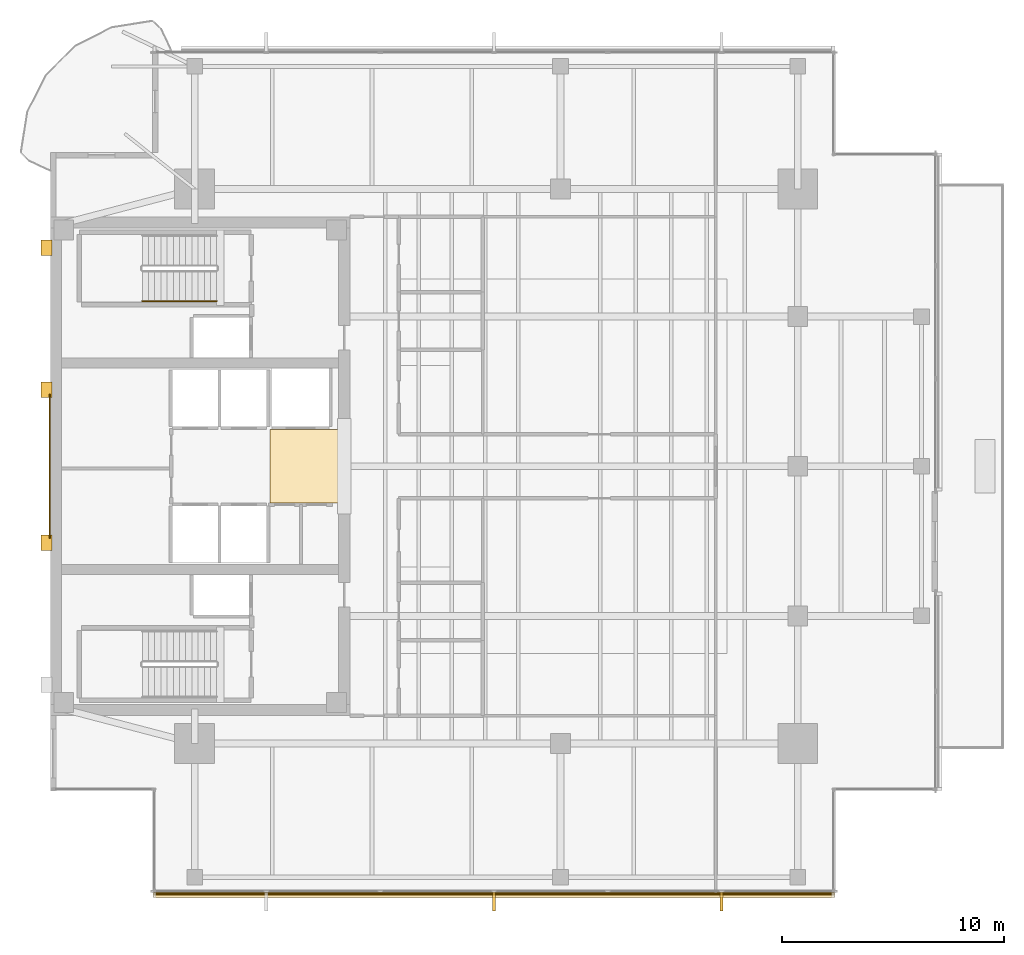
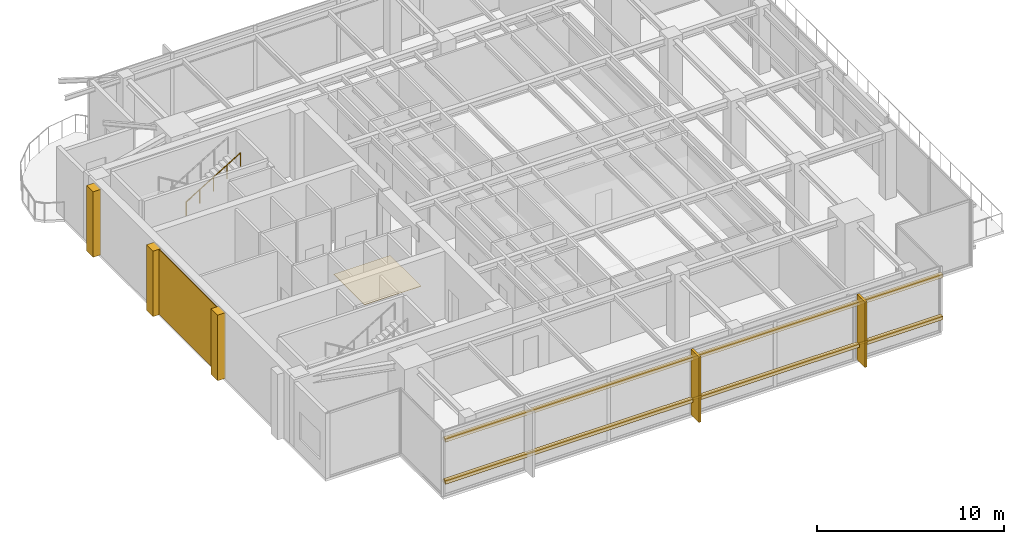
# One storey, part 12 of 14: 9 coverings, 2 shading devices, 1 railing.
"""IFC4 building model written with IfcOpenShell, lengths in metres."""

from ifc_helpers import new_model, si_unit, direction, frame, origin, origin_2d, place, context, subcontext, project, spatial, polyline, rectangle, circle, outline, extrude, material, layer, layer_set, material_profile, profile_set, type_object, element, save


model = new_model("IFC4")

# Units and contexts
model_context = context("Model", 3, precision=1e-05, world=origin(), true_north=direction((0.0, 1.0)))
body_context = subcontext(model_context, "Body", "Model", "MODEL_VIEW")
ifc_project = project(units=[si_unit("LENGTHUNIT", "METRE"), si_unit("AREAUNIT", "SQUARE_METRE"), si_unit("VOLUMEUNIT", "CUBIC_METRE"), si_unit("PLANEANGLEUNIT", "RADIAN"), si_unit("MASSUNIT", "GRAM", prefix="KILO")], contexts=[model_context])

# Site, building, storey
site_placement = place(None, origin())
site = spatial("IfcSite", under=ifc_project, at=site_placement, CompositionType="ELEMENT")
building_placement = place(site_placement, origin())
building = spatial("IfcBuilding", under=site, at=building_placement, Name="Kinhvarn Gate Tower", CompositionType="ELEMENT")
storey_placement = place(building_placement, frame((0.0, 0.0, 244.85009765625)))
storey = spatial("IfcBuildingStorey", under=building, at=storey_placement, Name="L65", CompositionType="ELEMENT", Elevation=244.85009765625)

# Coverings
ifc_material_1 = material(Name="Fired architectural terracotta", Category="masonry")
ifc_layer_1 = layer(ifc_material_1, 0.239990234375)
ifc_layer_set_1 = layer_set([ifc_layer_1], Name="Fired architectural terracotta")
covering_type_1 = type_object("IfcCoveringType", Name="COV-BAG-220", PredefinedType="CLADDING", material=ifc_layer_set_1)
for number, where, name in (
    (1, (0.0, 0.0, 0.93994140625), "Terracotta Horizontal Sunscreen Band TBG-220 (L65)"),
    (2, (0.0, 0.0, 3.679931640625), "Terracotta Horizontal Sunscreen Band TBG-220 (L65)"),
):
    element("IfcCovering", number, at=place(storey_placement, frame(where)), inside=storey, type_object=covering_type_1, Name=name, PredefinedType="CLADDING", context=body_context, shape_type="SweptSolid", body=[
        extrude(outline(polyline([(9.139892578125, 6.0400390625), (39.860107421875, 6.0400390625), (39.860107421875, 5.800048828125), (9.139892578125, 5.800048828125), (9.139892578125, 6.0400390625)])), origin(), (0.0, 0.0, 1.0), 0.219970703125),
    ])
ifc_layer_2 = layer(ifc_material_1, 0.050048828125)
ifc_layer_set_2 = layer_set([ifc_layer_2], Name="Fired architectural terracotta")
covering_type_2 = type_object("IfcCoveringType", Name="COV-CLD-50", PredefinedType="CLADDING", material=ifc_layer_set_2)
covering_1_placement = place(storey_placement, origin())
element("IfcCovering", 3, at=covering_1_placement, inside=storey, type_object=covering_type_2, Name="West Core Terracotta Cladding Feature Panel (L65)", PredefinedType="CLADDING", context=body_context, shape_type="SweptSolid", body=[
    extrude(outline(polyline([(4.449951171875, 22.0), (4.5, 22.0), (4.5, 28.5), (4.449951171875, 28.5), (4.449951171875, 22.0)])), origin(), (0.0, 0.0, 1.0), 4.239990234375),
])
ifc_layer_3 = layer(ifc_material_1, 0.139892578125)
ifc_layer_set_3 = layer_set([ifc_layer_3], Name="Fired architectural terracotta")
covering_type_3 = type_object("IfcCoveringType", Name="COV-FIN-850", PredefinedType="CLADDING", material=ifc_layer_set_3)
covering_2_placement = place(storey_placement, frame((0.0, 0.0, -0.02001953125)))
element("IfcCovering", 4, at=covering_2_placement, inside=storey, type_object=covering_type_3, Name="Vertical Terracotta Expressive Fin TFN-850 (L65)", PredefinedType="CLADDING", context=body_context, shape_type="SweptSolid", body=[
    extrude(outline(polyline([(24.429931640625, 6.050048828125), (24.570068359375, 6.050048828125), (24.570068359375, 5.199951171875), (24.429931640625, 5.199951171875), (24.429931640625, 6.050048828125)])), origin(), (0.0, 0.0, 1.0), 4.280029296875),
])
covering_3_placement = place(storey_placement, frame((0.0, 0.0, -0.02001953125)))
element("IfcCovering", 5, at=covering_3_placement, inside=storey, type_object=covering_type_3, Name="Vertical Terracotta Expressive Fin TFN-850 (L65)", PredefinedType="CLADDING", context=body_context, shape_type="SweptSolid", body=[
    extrude(outline(polyline([(34.69677734375, 6.050048828125), (34.836669921875, 6.050048828125), (34.836669921875, 5.199951171875), (34.69677734375, 5.199951171875), (34.69677734375, 6.050048828125)])), origin(), (0.0, 0.0, 1.0), 4.280029296875),
])
ifc_material_2 = material(Name="Honed granite architectural paving", Category="masonry")
ifc_layer_4 = layer(ifc_material_2, 0.030029296875)
ifc_layer_set_4 = layer_set([ifc_layer_4], Name="Honed granite architectural paving")
covering_type_4 = type_object("IfcCoveringType", Name="COV-FLR-30", PredefinedType="FLOORING", material=ifc_layer_set_4)
covering_4_placement = place(storey_placement, origin())
element("IfcCovering", 6, at=covering_4_placement, inside=storey, type_object=covering_type_4, Name="Honed Granite Lift Lobby Flooring (L65)", PredefinedType="FLOORING", context=body_context, shape_type="SweptSolid", body=[
    extrude(outline(polyline([(14.39990234375, 23.60009765625), (14.39990234375, 26.89990234375), (17.89990234375, 26.89990234375), (17.89990234375, 23.60009765625), (14.39990234375, 23.60009765625)])), origin(), (0.0, 0.0, 1.0), 0.02978515625),
])
ifc_material_3 = material(Name="Precast white architectural concrete C40/50", Category="concrete")
ifc_layer_5 = layer(ifc_material_3, 0.47998046875)
ifc_layer_set_5 = layer_set([ifc_layer_5], Name="Precast white architectural concrete C40/50")
covering_type_5 = type_object("IfcCoveringType", Name="COV-RIB-450", PredefinedType="CLADDING", material=ifc_layer_set_5)
covering_5_placement = place(storey_placement, frame((0.0, 0.0, -0.02001953125)))
element("IfcCovering", 7, at=covering_5_placement, inside=storey, type_object=covering_type_5, Name="West Core Sculptural Concrete Relief Rib CRB-450 (L65)", PredefinedType="CLADDING", context=body_context, shape_type="SweptSolid", body=[
    extrude(outline(polyline([(4.080078125, 21.449951171875), (4.56005859375, 21.449951171875), (4.56005859375, 22.14990234375), (4.080078125, 22.14990234375), (4.080078125, 21.449951171875)])), origin(), (0.0, 0.0, 1.0), 4.280029296875),
])
covering_6_placement = place(storey_placement, frame((0.0, 0.0, -0.02001953125)))
element("IfcCovering", 8, at=covering_6_placement, inside=storey, type_object=covering_type_5, Name="West Core Sculptural Concrete Relief Rib CRB-450 (L65)", PredefinedType="CLADDING", context=body_context, shape_type="SweptSolid", body=[
    extrude(outline(polyline([(4.080078125, 28.35009765625), (4.56005859375, 28.35009765625), (4.56005859375, 29.050048828125), (4.080078125, 29.050048828125), (4.080078125, 28.35009765625)])), origin(), (0.0, 0.0, 1.0), 4.280029296875),
])
covering_7_placement = place(storey_placement, frame((0.0, 0.0, -0.02001953125)))
element("IfcCovering", 9, at=covering_7_placement, inside=storey, type_object=covering_type_5, Name="West Core Sculptural Concrete Relief Rib CRB-450 (L65)", PredefinedType="CLADDING", context=body_context, shape_type="SweptSolid", body=[
    extrude(outline(polyline([(4.080078125, 34.75), (4.56005859375, 34.75), (4.56005859375, 35.449951171875), (4.080078125, 35.449951171875), (4.080078125, 34.75)])), origin(), (0.0, 0.0, 1.0), 4.280029296875),
])

# Railing
ifc_material_4 = material(Name="Steel S355", Category="steel")
railing_type = type_object("IfcRailingType", Name="RL-ST-HND", PredefinedType="HANDRAIL", material=ifc_material_4)
railing_placement = place(storey_placement, frame((8.639892578125, 32.699951171875, 2.369140625)))
element("IfcRailing", 10, at=railing_placement, inside=storey, type_object=railing_type, Name="L65 ST2 stair handrail 2", PredefinedType="HANDRAIL", context=body_context, shape_type="SweptSolid", body=[
    extrude(circle(Radius=0.02392578125, at=origin_2d()), frame((0.0, 0.0, 0.8759765625), z_axis=(0.855836976705, 0.0, 0.517245656632), x_axis=(0.0, 1.0, 0.0)), (0.0, 0.0, 1.0), 3.926025390625),
    extrude(circle(Radius=0.02099609375, at=origin_2d()), origin(), (0.0, 0.0, 1.0), 0.851806640625),
    extrude(circle(Radius=0.02099609375, at=origin_2d()), frame((0.840087890625, 0.0, 0.5078125)), (0.0, 0.0, 1.0), 0.851806640625),
    extrude(circle(Radius=0.02099609375, at=origin_2d()), frame((1.68017578125, 0.0, 1.015380859375)), (0.0, 0.0, 1.0), 0.851806640625),
    extrude(circle(Radius=0.02099609375, at=origin_2d()), frame((2.52001953125, 0.0, 1.52294921875)), (0.0, 0.0, 1.0), 0.851806640625),
    extrude(circle(Radius=0.02099609375, at=origin_2d()), frame((3.360107421875, 0.0, 2.03076171875)), (0.0, 0.0, 1.0), 0.851806640625),
])

# Shading devices
ifc_material_profile = material_profile(ifc_material_1, rectangle(XDim=0.06005859375, YDim=0.139892578125, at=origin_2d()), Name="TC 60x140")
ifc_profile_set = profile_set([ifc_material_profile], Name="Fired architectural terracotta")
shading_device_type = type_object("IfcShadingDeviceType", Name="SHD-BAG-180", PredefinedType="USERDEFINED", material=ifc_profile_set)
for number, where, z_axis, x_axis, name in (
    (11, (9.139892578125, 5.965087890625, 1.0498046875), (1.0, 0.0, 0.0), (0.0, 1.0, 0.0), "Fired Terracotta Baguette Screen Rod 60x140 mm (L65)"),
    (12, (9.139892578125, 5.965087890625, 3.789794921875), (1.0, 0.0, 0.0), (0.0, 1.0, 0.0), "Fired Terracotta Baguette Screen Rod 60x140 mm (L65)"),
):
    element("IfcShadingDevice", number, at=place(storey_placement, frame(where, z_axis=z_axis, x_axis=x_axis)), inside=storey, type_object=shading_device_type, Name=name, ObjectType="BAGUETTE", PredefinedType="USERDEFINED", context=body_context, shape_type="SweptSolid", body=[
        extrude(rectangle(XDim=0.06005859375, YDim=0.139892578125, at=origin_2d()), origin(), (0.0, 0.0, 1.0), 30.72021484375),
    ])

save(model, "model.ifc")
